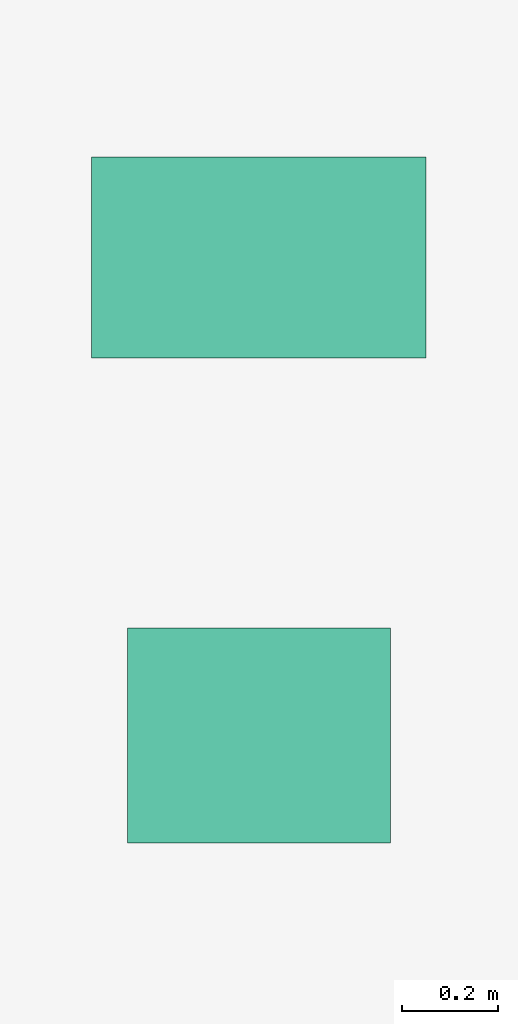
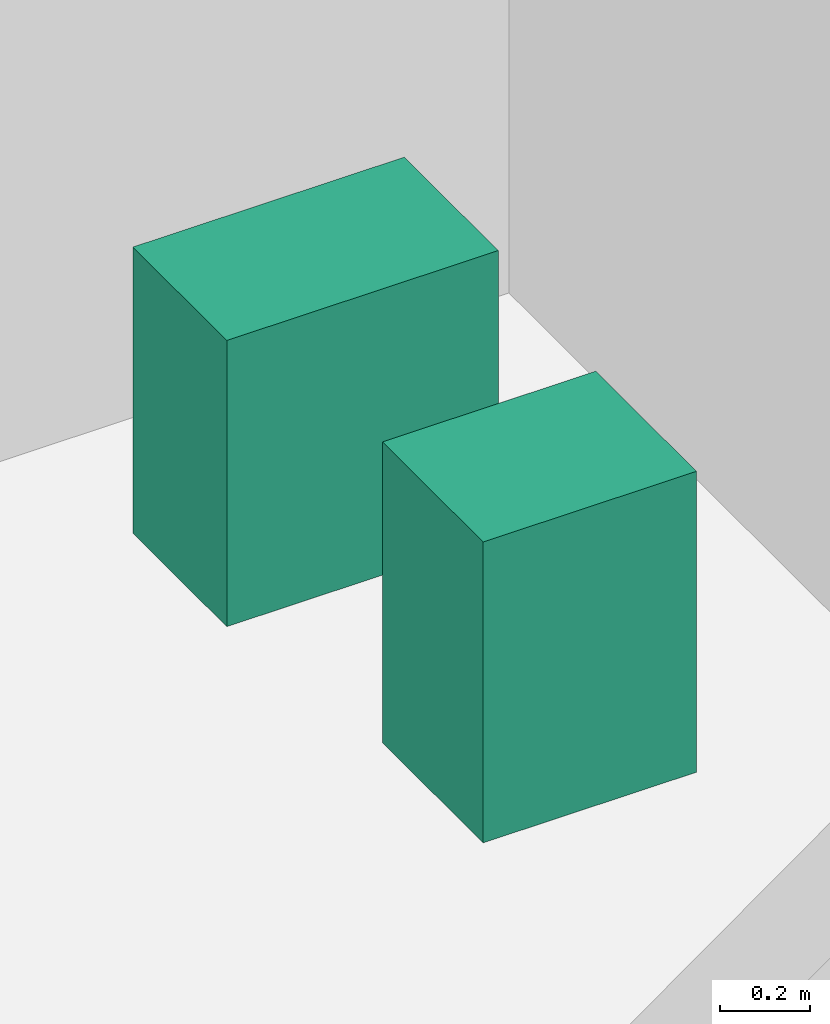
# One storey, part 17 of 17: 2 sanitary terminals.
"""IFC4 building model written with IfcOpenShell, lengths in metres."""

from ifc_helpers import new_model, si_unit, direction, frame, origin, origin_2d, place, context, subcontext, project, spatial, rectangle, extrude, source, transform, mapped, material, type_object, element, save


model = new_model("IFC4")

# Units and contexts
model_context = context("Model", 3, precision=1e-05, world=origin(), true_north=direction((0.0, 1.0)))
body_context = subcontext(model_context, "Body", "Model", "MODEL_VIEW")
ifc_project = project(units=[si_unit("LENGTHUNIT", "METRE"), si_unit("AREAUNIT", "SQUARE_METRE"), si_unit("VOLUMEUNIT", "CUBIC_METRE"), si_unit("PLANEANGLEUNIT", "RADIAN"), si_unit("MASSUNIT", "GRAM", prefix="KILO")], contexts=[model_context])

# Site, building, storey
site_placement = place(None, origin())
site = spatial("IfcSite", under=ifc_project, at=site_placement, CompositionType="ELEMENT")
building_placement = place(site_placement, origin())
building = spatial("IfcBuilding", under=site, at=building_placement, Name="Sumidabori Civic Tower", CompositionType="ELEMENT")
storey_placement = place(building_placement, frame((0.0, 0.0, 5.0)))
storey = spatial("IfcBuildingStorey", under=building, at=storey_placement, Name="L01", CompositionType="ELEMENT", Elevation=5.0)

# Sanitary terminals
ifc_material = material(Name="Vitreous Sanitary Porcelain")
sanitary_terminal_type_1 = type_object("IfcSanitaryTerminalType", Name="SN-WC-1", PredefinedType="TOILETPAN", material=ifc_material)
shared_shape_1 = source(origin(), body_context, "Body", "SweptSolid", [
    extrude(rectangle(XDim=0.699951171875, YDim=0.419921875, at=origin_2d()), origin(), (0.0, 0.0, 1.0), 0.780029296875),
])
sanitary_terminal_1_placement = place(storey_placement, frame((10.800048828125, 21.85009765625, 0.0), z_axis=(0.0, 0.0, 1.0), x_axis=(1.0, 0.0, 0.0)))
element("IfcSanitaryTerminal", 1, at=sanitary_terminal_1_placement, inside=storey, type_object=sanitary_terminal_type_1, Name="Accessible WC Pan L01", PredefinedType="TOILETPAN", context=body_context, shape_type="MappedRepresentation", body=[
    mapped(shared_shape_1, transform((0.0, 0.0, 0.0), x_axis=(1.0, 0.0, 0.0), y_axis=(0.0, 1.0, 0.0), z_axis=(0.0, 0.0, 1.0), scale=1.0)),
])
sanitary_terminal_type_2 = type_object("IfcSanitaryTerminalType", Name="SN-BAS-1", PredefinedType="WASHHANDBASIN", material=ifc_material)
shared_shape_2 = source(origin(), body_context, "Body", "SweptSolid", [
    extrude(rectangle(XDim=0.550048828125, YDim=0.449951171875, at=origin_2d()), origin(), (0.0, 0.0, 1.0), 0.820068359375),
])
sanitary_terminal_2_placement = place(storey_placement, frame((10.800048828125, 20.85009765625, 0.0), z_axis=(0.0, 0.0, 1.0), x_axis=(1.0, 0.0, 0.0)))
element("IfcSanitaryTerminal", 2, at=sanitary_terminal_2_placement, inside=storey, type_object=sanitary_terminal_type_2, Name="Accessible Basin L01", PredefinedType="WASHHANDBASIN", context=body_context, shape_type="MappedRepresentation", body=[
    mapped(shared_shape_2, transform((0.0, 0.0, 0.0), x_axis=(1.0, 0.0, 0.0), y_axis=(0.0, 1.0, 0.0), z_axis=(0.0, 0.0, 1.0), scale=1.0)),
])

save(model, "model.ifc")
